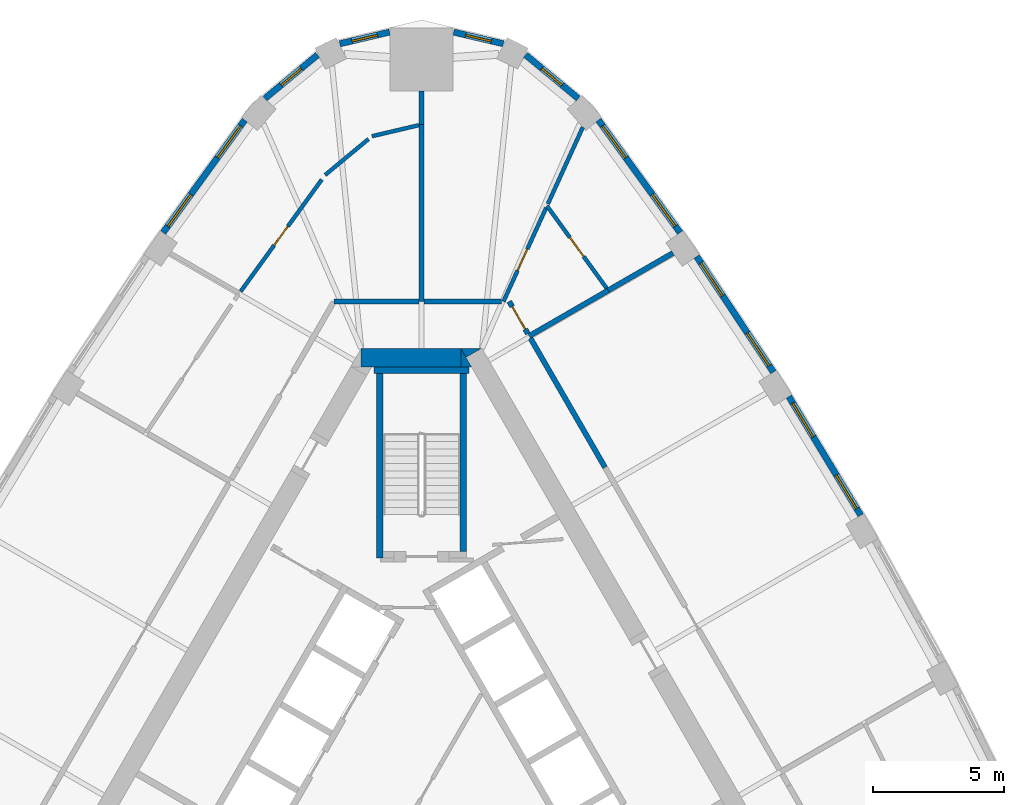
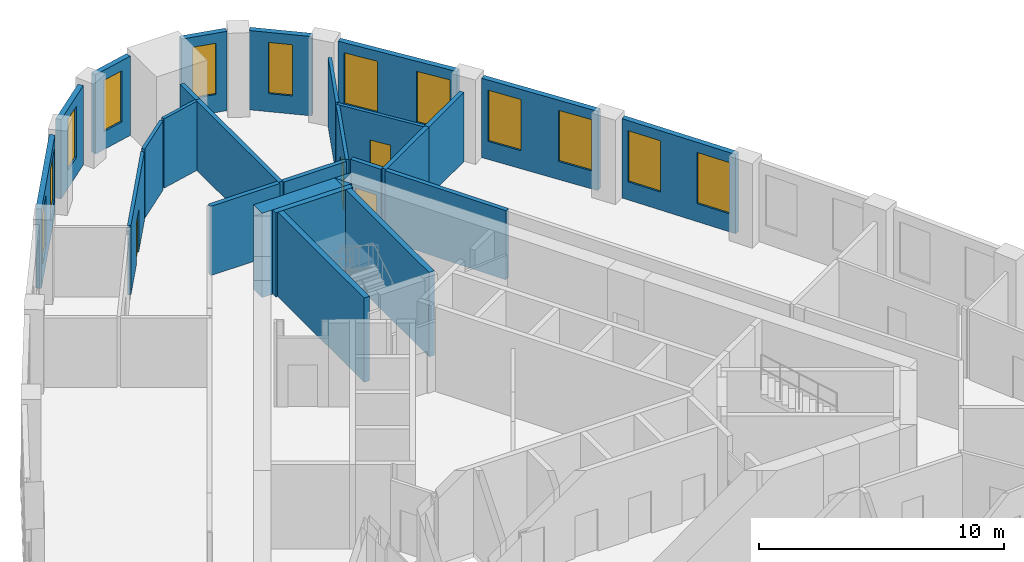
# One storey, part 8 of 10: 28 walls, 12 windows, 4 doors, 16 openings.
"""IFC4 building model written with IfcOpenShell, lengths in metres."""

from ifc_helpers import new_model, si_unit, direction, frame, frame_2d, origin, place, context, subcontext, project, spatial, polyline, rectangle, outline, extrude, material, layer, layer_set, type_object, element, fill, save


model = new_model("IFC4")

# Units and contexts
model_context = context("Model", 3, precision=1e-05, world=origin(), true_north=direction((0.0, 1.0)))
body_context = subcontext(model_context, "Body", "Model", "MODEL_VIEW")
ifc_project = project(units=[si_unit("LENGTHUNIT", "METRE"), si_unit("AREAUNIT", "SQUARE_METRE"), si_unit("VOLUMEUNIT", "CUBIC_METRE"), si_unit("PLANEANGLEUNIT", "RADIAN"), si_unit("MASSUNIT", "GRAM", prefix="KILO")], contexts=[model_context])

# Site, building, storey
site_placement = place(None, origin())
site = spatial("IfcSite", under=ifc_project, at=site_placement, CompositionType="ELEMENT")
building_placement = place(site_placement, origin())
building = spatial("IfcBuilding", under=site, at=building_placement, Name="Mestral Congress Tower", CompositionType="ELEMENT")
storey_placement = place(building_placement, frame((0.0, 0.0, 239.39990234375)))
storey = spatial("IfcBuildingStorey", under=building, at=storey_placement, Name="L56", CompositionType="ELEMENT", Elevation=239.39990234375)

# Walls
ifc_material_1 = material(Name="Concrete C60/75", Category="concrete")
ifc_layer_1 = layer(ifc_material_1, 0.699951171875)
ifc_layer_set_1 = layer_set([ifc_layer_1], Name="Concrete C60/75")
wall_type_1 = type_object("IfcWallType", Name="Core wall RC 700", PredefinedType="SOLIDWALL", material=ifc_layer_set_1)
placement = place(storey_placement, origin())
element("IfcWall", 1, at=placement, inside=storey, type_object=wall_type_1, Name="L56 core wall", PredefinedType="SOLIDWALL", context=body_context, shape_type="SweptSolid", body=[
    extrude(outline(polyline([(1.501220703125, 16.699951171875), (2.277099609375, 16.699951171875), (1.695068359375, 16.364013671875), (1.501220703125, 16.699951171875)])), origin(), (0.0, 0.0, 1.0), 4.2001953125),
])
wall_2_placement = place(storey_placement, frame((-2.323486328125, 16.35009765625, 0.0), z_axis=(0.0, 0.0, 1.0), x_axis=(1.0, 0.0, 0.0)))
element("IfcWall", 2, at=wall_2_placement, inside=storey, type_object=wall_type_1, Name="L56 core wall", PredefinedType="SOLIDWALL", context=body_context, shape_type="SweptSolid", body=[
    extrude(rectangle(XDim=3.828857421875, YDim=0.699951171875, at=frame_2d((1.91455078125, 0.0))), origin(), (0.0, 0.0, 1.0), 4.2001953125),
])
element("IfcWall", 3, at=placement, inside=storey, type_object=wall_type_1, Name="L56 core wall", PredefinedType="SOLIDWALL", context=body_context, shape_type="SweptSolid", body=[
    extrude(outline(polyline([(1.9052734375, 16.0), (1.50732421875, 16.0), (1.50732421875, 16.689208984375), (1.9052734375, 16.0)])), origin(), (0.0, 0.0, 1.0), 4.2001953125),
])

# Wall, openings, windows
ifc_material_2 = material(Name="Precast concrete C40/50 with limestone facing", Category="masonry")
ifc_layer_2 = layer(ifc_material_2, 0.239990234375)
ifc_layer_set_2 = layer_set([ifc_layer_2], Name="Precast concrete C40/50 with limestone facing")
wall_type_2 = type_object("IfcWallType", Name="Facade stone wall 240", PredefinedType="SOLIDWALL", material=ifc_layer_set_2)
wall_4_placement = place(storey_placement, frame((16.78173828125, 10.331298828125, 0.0), z_axis=(0.0, 0.0, 1.0), x_axis=(-0.517846166225, 0.855473756538, 0.0)))
wall_4 = element("IfcWall", 4, at=wall_4_placement, inside=storey, type_object=wall_type_2, Name="Facade wall F1-03", PredefinedType="SOLIDWALL", context=body_context, shape_type="SweptSolid", body=[
    extrude(rectangle(XDim=5.298095703125, YDim=0.239990234375, at=frame_2d((2.64892578125, 0.0))), origin(), (0.0, 0.0, 1.0), 3.9501953125),
])
opening_1_placement = place(wall_4_placement, frame((0.29443359375, 0.0, 0.89990234375)))
opening_1 = element("IfcOpeningElement", 5, at=opening_1_placement, cuts=wall_4, Name="Opening W4", PredefinedType="OPENING", context=body_context, shape_type="SweptSolid", body=[
    extrude(rectangle(XDim=1.5, YDim=2.550048828125, at=frame_2d((0.75, 1.27490234375))), frame((0.0, 0.1298828125, 0.0), z_axis=(0.0, -1.0, 0.0), x_axis=(1.0, 0.0, 0.0)), (0.0, 0.0, 1.0), 0.260009765625),
])
opening_2_placement = place(wall_4_placement, frame((3.503662109375, 0.0, 0.89990234375)))
opening_2 = element("IfcOpeningElement", 6, at=opening_2_placement, cuts=wall_4, Name="Opening W4", PredefinedType="OPENING", context=body_context, shape_type="SweptSolid", body=[
    extrude(rectangle(XDim=1.5, YDim=2.550048828125, at=frame_2d((0.75, 1.27490234375))), frame((0.0, 0.1298828125, 0.0), z_axis=(0.0, -1.0, 0.0), x_axis=(1.0, 0.0, 0.0)), (0.0, 0.0, 1.0), 0.260009765625),
])
ifc_material_3 = material(Name="Clear low-emissivity double glazing", Category="glass")
window_type_1 = type_object("IfcWindowType", Name="Facade punched window 1500 x 2550 sill 900", PartitioningType="SINGLE_PANEL", PredefinedType="WINDOW", material=ifc_material_3)
window_1_placement = place(opening_1_placement, origin())
window_1 = element("IfcWindow", 7, at=window_1_placement, inside=storey, type_object=window_type_1, Name="Window F1-03a", OverallHeight=2.550048828125, OverallWidth=1.5, PartitioningType="SINGLE_PANEL", PredefinedType="WINDOW", context=body_context, shape_type="SweptSolid", body=[
    extrude(rectangle(XDim=1.5, YDim=2.550048828125, at=frame_2d((0.75, 1.27490234375))), frame((0.0, 0.0400390625, 0.0), z_axis=(0.0, -1.0, 0.0), x_axis=(1.0, 0.0, 0.0)), (0.0, 0.0, 1.0), 0.06005859375),
])
fill(opening_1, window_1)
window_2_placement = place(opening_2_placement, origin())
window_2 = element("IfcWindow", 8, at=window_2_placement, inside=storey, type_object=window_type_1, Name="Window F1-03b", OverallHeight=2.550048828125, OverallWidth=1.5, PartitioningType="SINGLE_PANEL", PredefinedType="WINDOW", context=body_context, shape_type="SweptSolid", body=[
    extrude(rectangle(XDim=1.5, YDim=2.550048828125, at=frame_2d((0.75, 1.27490234375))), frame((0.0, 0.0400390625, 0.0), z_axis=(0.0, -1.0, 0.0), x_axis=(1.0, 0.0, 0.0)), (0.0, 0.0, 1.0), 0.06005859375),
])
fill(opening_2, window_2)

wall_5_placement = place(storey_placement, frame((13.442138671875, 15.803466796875, 0.0), z_axis=(0.0, 0.0, 1.0), x_axis=(-0.552901821755, 0.833246407433, 0.0)))
wall_5 = element("IfcWall", 9, at=wall_5_placement, inside=storey, type_object=wall_type_2, Name="Facade wall F1-04", PredefinedType="SOLIDWALL", context=body_context, shape_type="SweptSolid", body=[
    extrude(rectangle(XDim=5.29833984375, YDim=0.239990234375, at=frame_2d((2.649169921875, 0.0))), origin(), (0.0, 0.0, 1.0), 3.9501953125),
])
opening_3_placement = place(wall_5_placement, frame((0.294677734375, 0.0, 0.89990234375)))
opening_3 = element("IfcOpeningElement", 10, at=opening_3_placement, cuts=wall_5, Name="Opening W4", PredefinedType="OPENING", context=body_context, shape_type="SweptSolid", body=[
    extrude(rectangle(XDim=1.5, YDim=2.550048828125, at=frame_2d((0.75, 1.27490234375))), frame((0.0, 0.1298828125, 0.0), z_axis=(0.0, -1.0, 0.0), x_axis=(1.0, 0.0, 0.0)), (0.0, 0.0, 1.0), 0.260009765625),
])
opening_4_placement = place(wall_5_placement, frame((3.50390625, 0.0, 0.89990234375)))
opening_4 = element("IfcOpeningElement", 11, at=opening_4_placement, cuts=wall_5, Name="Opening W4", PredefinedType="OPENING", context=body_context, shape_type="SweptSolid", body=[
    extrude(rectangle(XDim=1.5, YDim=2.550048828125, at=frame_2d((0.75, 1.27490234375))), frame((0.0, 0.1298828125, 0.0), z_axis=(0.0, -1.0, 0.0), x_axis=(1.0, 0.0, 0.0)), (0.0, 0.0, 1.0), 0.260009765625),
])
window_3_placement = place(opening_3_placement, origin())
window_3 = element("IfcWindow", 12, at=window_3_placement, inside=storey, type_object=window_type_1, Name="Window F1-04a", OverallHeight=2.550048828125, OverallWidth=1.5, PartitioningType="SINGLE_PANEL", PredefinedType="WINDOW", context=body_context, shape_type="SweptSolid", body=[
    extrude(rectangle(XDim=1.5, YDim=2.550048828125, at=frame_2d((0.75, 1.27490234375))), frame((0.0, 0.0400390625, 0.0), z_axis=(0.0, -1.0, 0.0), x_axis=(1.0, 0.0, 0.0)), (0.0, 0.0, 1.0), 0.06005859375),
])
fill(opening_3, window_3)
window_4_placement = place(opening_4_placement, origin())
window_4 = element("IfcWindow", 13, at=window_4_placement, inside=storey, type_object=window_type_1, Name="Window F1-04b", OverallHeight=2.550048828125, OverallWidth=1.5, PartitioningType="SINGLE_PANEL", PredefinedType="WINDOW", context=body_context, shape_type="SweptSolid", body=[
    extrude(rectangle(XDim=1.5, YDim=2.550048828125, at=frame_2d((0.75, 1.27490234375))), frame((0.0, 0.0400390625, 0.0), z_axis=(0.0, -1.0, 0.0), x_axis=(1.0, 0.0, 0.0)), (0.0, 0.0, 1.0), 0.06005859375),
])
fill(opening_4, window_4)

wall_6_placement = place(storey_placement, frame((9.87841796875, 21.13232421875, 0.0), z_axis=(0.0, 0.0, 1.0), x_axis=(-0.586998456641, 0.80958805074, 0.0)))
wall_6 = element("IfcWall", 14, at=wall_6_placement, inside=storey, type_object=wall_type_2, Name="Facade wall F1-05", PredefinedType="SOLIDWALL", context=body_context, shape_type="SweptSolid", body=[
    extrude(rectangle(XDim=5.310791015625, YDim=0.239990234375, at=frame_2d((2.6552734375, 0.0))), origin(), (0.0, 0.0, 1.0), 3.9501953125),
])
opening_5_placement = place(wall_6_placement, frame((0.306396484375, 0.0, 0.89990234375)))
opening_5 = element("IfcOpeningElement", 15, at=opening_5_placement, cuts=wall_6, Name="Opening W4", PredefinedType="OPENING", context=body_context, shape_type="SweptSolid", body=[
    extrude(rectangle(XDim=1.5, YDim=2.550048828125, at=frame_2d((0.75, 1.27490234375))), frame((0.0, 0.1298828125, 0.0), z_axis=(0.0, -1.0, 0.0), x_axis=(1.0, 0.0, 0.0)), (0.0, 0.0, 1.0), 0.260009765625),
])
opening_6_placement = place(wall_6_placement, frame((3.539306640625, 0.0, 0.89990234375)))
opening_6 = element("IfcOpeningElement", 16, at=opening_6_placement, cuts=wall_6, Name="Opening W4", PredefinedType="OPENING", context=body_context, shape_type="SweptSolid", body=[
    extrude(rectangle(XDim=1.5, YDim=2.550048828125, at=frame_2d((0.75, 1.27490234375))), frame((0.0, 0.1298828125, 0.0), z_axis=(0.0, -1.0, 0.0), x_axis=(1.0, 0.0, 0.0)), (0.0, 0.0, 1.0), 0.260009765625),
])
window_5_placement = place(opening_5_placement, origin())
window_5 = element("IfcWindow", 17, at=window_5_placement, inside=storey, type_object=window_type_1, Name="Window F1-05a", OverallHeight=2.550048828125, OverallWidth=1.5, PartitioningType="SINGLE_PANEL", PredefinedType="WINDOW", context=body_context, shape_type="SweptSolid", body=[
    extrude(rectangle(XDim=1.5, YDim=2.550048828125, at=frame_2d((0.75, 1.27490234375))), frame((0.0, 0.0400390625, 0.0), z_axis=(0.0, -1.0, 0.0), x_axis=(1.0, 0.0, 0.0)), (0.0, 0.0, 1.0), 0.06005859375),
])
fill(opening_5, window_5)
window_6_placement = place(opening_6_placement, origin())
window_6 = element("IfcWindow", 18, at=window_6_placement, inside=storey, type_object=window_type_1, Name="Window F1-05b", OverallHeight=2.550048828125, OverallWidth=1.5, PartitioningType="SINGLE_PANEL", PredefinedType="WINDOW", context=body_context, shape_type="SweptSolid", body=[
    extrude(rectangle(XDim=1.5, YDim=2.550048828125, at=frame_2d((0.75, 1.27490234375))), frame((0.0, 0.0400390625, 0.0), z_axis=(0.0, -1.0, 0.0), x_axis=(1.0, 0.0, 0.0)), (0.0, 0.0, 1.0), 0.06005859375),
])
fill(opening_6, window_6)

# Wall, opening, window
wall_7_placement = place(storey_placement, frame((5.986572265625, 26.259033203125, 0.0), z_axis=(0.0, 0.0, 1.0), x_axis=(-0.769990037733, 0.638055908045, 0.0)))
wall_7 = element("IfcWall", 19, at=wall_7_placement, inside=storey, type_object=wall_type_2, Name="Facade wall K1-0", PredefinedType="SOLIDWALL", context=body_context, shape_type="SweptSolid", body=[
    extrude(rectangle(XDim=2.609130859375, YDim=0.239990234375, at=frame_2d((1.3046875, 0.0))), origin(), (0.0, 0.0, 1.0), 3.9501953125),
])
opening_7_placement = place(wall_7_placement, frame((0.8046875, 0.0, 0.89990234375)))
opening_7 = element("IfcOpeningElement", 20, at=opening_7_placement, cuts=wall_7, Name="Opening W5", PredefinedType="OPENING", context=body_context, shape_type="SweptSolid", body=[
    extrude(rectangle(XDim=1.0, YDim=2.550048828125, at=frame_2d((0.5, 1.27490234375))), frame((0.0, 0.1298828125, 0.0), z_axis=(0.0, -1.0, 0.0), x_axis=(1.0, 0.0, 0.0)), (0.0, 0.0, 1.0), 0.260009765625),
])
window_type_2 = type_object("IfcWindowType", Name="Facade punched window 1000 x 2550 sill 900", PartitioningType="SINGLE_PANEL", PredefinedType="WINDOW", material=ifc_material_3)
window_7_placement = place(opening_7_placement, origin())
window_7 = element("IfcWindow", 21, at=window_7_placement, inside=storey, type_object=window_type_2, Name="Window K1-0", OverallHeight=2.550048828125, OverallWidth=1.0, PartitioningType="SINGLE_PANEL", PredefinedType="WINDOW", context=body_context, shape_type="SweptSolid", body=[
    extrude(rectangle(XDim=1.0, YDim=2.550048828125, at=frame_2d((0.5, 1.27490234375))), frame((0.0, 0.0400390625, 0.0), z_axis=(0.0, -1.0, 0.0), x_axis=(1.0, 0.0, 0.0)), (0.0, 0.0, 1.0), 0.06005859375),
])
fill(opening_7, window_7)

wall_8_placement = place(storey_placement, frame((3.123046875, 28.3486328125, 0.0), z_axis=(0.0, 0.0, 1.0), x_axis=(-0.973515706272, 0.228620142686, 0.0)))
wall_8 = element("IfcWall", 22, at=wall_8_placement, inside=storey, type_object=wall_type_2, Name="Facade wall K1-1", PredefinedType="SOLIDWALL", context=body_context, shape_type="SweptSolid", body=[
    extrude(rectangle(XDim=1.94775390625, YDim=0.239990234375, at=frame_2d((0.973876953125, 0.0))), origin(), (0.0, 0.0, 1.0), 3.9501953125),
])
opening_8_placement = place(wall_8_placement, frame((0.47412109375, 0.0, 0.89990234375)))
opening_8 = element("IfcOpeningElement", 23, at=opening_8_placement, cuts=wall_8, Name="Opening W5", PredefinedType="OPENING", context=body_context, shape_type="SweptSolid", body=[
    extrude(rectangle(XDim=1.0, YDim=2.550048828125, at=frame_2d((0.5, 1.27490234375))), frame((0.0, 0.1298828125, 0.0), z_axis=(0.0, -1.0, 0.0), x_axis=(1.0, 0.0, 0.0)), (0.0, 0.0, 1.0), 0.260009765625),
])
window_8_placement = place(opening_8_placement, origin())
window_8 = element("IfcWindow", 24, at=window_8_placement, inside=storey, type_object=window_type_2, Name="Window K1-1", OverallHeight=2.550048828125, OverallWidth=1.0, PartitioningType="SINGLE_PANEL", PredefinedType="WINDOW", context=body_context, shape_type="SweptSolid", body=[
    extrude(rectangle(XDim=1.0, YDim=2.550048828125, at=frame_2d((0.5, 1.27490234375))), frame((0.0, 0.0400390625, 0.0), z_axis=(0.0, -1.0, 0.0), x_axis=(1.0, 0.0, 0.0)), (0.0, 0.0, 1.0), 0.06005859375),
])
fill(opening_8, window_8)

wall_9_placement = place(storey_placement, frame((-1.226806640625, 28.7939453125, 0.0), z_axis=(0.0, 0.0, 1.0), x_axis=(-0.973515706272, -0.228620142686, 0.0)))
wall_9 = element("IfcWall", 25, at=wall_9_placement, inside=storey, type_object=wall_type_2, Name="Facade wall K1-2", PredefinedType="SOLIDWALL", context=body_context, shape_type="SweptSolid", body=[
    extrude(rectangle(XDim=1.94775390625, YDim=0.239990234375, at=frame_2d((0.973876953125, 0.0))), origin(), (0.0, 0.0, 1.0), 3.9501953125),
])
opening_9_placement = place(wall_9_placement, frame((0.47412109375, 0.0, 0.89990234375)))
opening_9 = element("IfcOpeningElement", 26, at=opening_9_placement, cuts=wall_9, Name="Opening W5", PredefinedType="OPENING", context=body_context, shape_type="SweptSolid", body=[
    extrude(rectangle(XDim=1.0, YDim=2.550048828125, at=frame_2d((0.5, 1.27490234375))), frame((0.0, 0.1298828125, 0.0), z_axis=(0.0, -1.0, 0.0), x_axis=(1.0, 0.0, 0.0)), (0.0, 0.0, 1.0), 0.260009765625),
])
window_9_placement = place(opening_9_placement, origin())
window_9 = element("IfcWindow", 27, at=window_9_placement, inside=storey, type_object=window_type_2, Name="Window K1-2", OverallHeight=2.550048828125, OverallWidth=1.0, PartitioningType="SINGLE_PANEL", PredefinedType="WINDOW", context=body_context, shape_type="SweptSolid", body=[
    extrude(rectangle(XDim=1.0, YDim=2.550048828125, at=frame_2d((0.5, 1.27490234375))), frame((0.0, 0.0400390625, 0.0), z_axis=(0.0, -1.0, 0.0), x_axis=(1.0, 0.0, 0.0)), (0.0, 0.0, 1.0), 0.06005859375),
])
fill(opening_9, window_9)

wall_10_placement = place(storey_placement, frame((-3.9775390625, 27.923828125, 0.0), z_axis=(0.0, 0.0, 1.0), x_axis=(-0.769990037733, -0.638055908045, 0.0)))
wall_10 = element("IfcWall", 28, at=wall_10_placement, inside=storey, type_object=wall_type_2, Name="Facade wall K1-3", PredefinedType="SOLIDWALL", context=body_context, shape_type="SweptSolid", body=[
    extrude(rectangle(XDim=2.609130859375, YDim=0.239990234375, at=frame_2d((1.3046875, 0.0))), origin(), (0.0, 0.0, 1.0), 3.9501953125),
])
opening_10_placement = place(wall_10_placement, frame((0.8046875, 0.0, 0.89990234375)))
opening_10 = element("IfcOpeningElement", 29, at=opening_10_placement, cuts=wall_10, Name="Opening W5", PredefinedType="OPENING", context=body_context, shape_type="SweptSolid", body=[
    extrude(rectangle(XDim=1.0, YDim=2.550048828125, at=frame_2d((0.5, 1.27490234375))), frame((0.0, 0.1298828125, 0.0), z_axis=(0.0, -1.0, 0.0), x_axis=(1.0, 0.0, 0.0)), (0.0, 0.0, 1.0), 0.260009765625),
])
window_10_placement = place(opening_10_placement, origin())
window_10 = element("IfcWindow", 30, at=window_10_placement, inside=storey, type_object=window_type_2, Name="Window K1-3", OverallHeight=2.550048828125, OverallWidth=1.0, PartitioningType="SINGLE_PANEL", PredefinedType="WINDOW", context=body_context, shape_type="SweptSolid", body=[
    extrude(rectangle(XDim=1.0, YDim=2.550048828125, at=frame_2d((0.5, 1.27490234375))), frame((0.0, 0.0400390625, 0.0), z_axis=(0.0, -1.0, 0.0), x_axis=(1.0, 0.0, 0.0)), (0.0, 0.0, 1.0), 0.06005859375),
])
fill(opening_10, window_10)

# Wall, openings, windows
wall_11_placement = place(storey_placement, frame((-6.760986328125, 25.431884765625, 0.0), z_axis=(0.0, 0.0, 1.0), x_axis=(-0.586998456641, -0.80958805074, 0.0)))
wall_11 = element("IfcWall", 31, at=wall_11_placement, inside=storey, type_object=wall_type_2, Name="Facade wall F2-00", PredefinedType="SOLIDWALL", context=body_context, shape_type="SweptSolid", body=[
    extrude(rectangle(XDim=5.310791015625, YDim=0.239990234375, at=frame_2d((2.6552734375, 0.0))), origin(), (0.0, 0.0, 1.0), 3.9501953125),
])
opening_11_placement = place(wall_11_placement, frame((0.271484375, 0.0, 0.89990234375)))
opening_11 = element("IfcOpeningElement", 32, at=opening_11_placement, cuts=wall_11, Name="Opening W4", PredefinedType="OPENING", context=body_context, shape_type="SweptSolid", body=[
    extrude(rectangle(XDim=1.5, YDim=2.550048828125, at=frame_2d((0.75, 1.27490234375))), frame((0.0, 0.1298828125, 0.0), z_axis=(0.0, -1.0, 0.0), x_axis=(1.0, 0.0, 0.0)), (0.0, 0.0, 1.0), 0.260009765625),
])
opening_12_placement = place(wall_11_placement, frame((3.50439453125, 0.0, 0.89990234375)))
opening_12 = element("IfcOpeningElement", 33, at=opening_12_placement, cuts=wall_11, Name="Opening W4", PredefinedType="OPENING", context=body_context, shape_type="SweptSolid", body=[
    extrude(rectangle(XDim=1.5, YDim=2.550048828125, at=frame_2d((0.75, 1.27490234375))), frame((0.0, 0.1298828125, 0.0), z_axis=(0.0, -1.0, 0.0), x_axis=(1.0, 0.0, 0.0)), (0.0, 0.0, 1.0), 0.260009765625),
])
window_11_placement = place(opening_11_placement, origin())
window_11 = element("IfcWindow", 34, at=window_11_placement, inside=storey, type_object=window_type_1, Name="Window F2-00a", OverallHeight=2.550048828125, OverallWidth=1.5, PartitioningType="SINGLE_PANEL", PredefinedType="WINDOW", context=body_context, shape_type="SweptSolid", body=[
    extrude(rectangle(XDim=1.5, YDim=2.550048828125, at=frame_2d((0.75, 1.27490234375))), frame((0.0, 0.0400390625, 0.0), z_axis=(0.0, -1.0, 0.0), x_axis=(1.0, 0.0, 0.0)), (0.0, 0.0, 1.0), 0.06005859375),
])
fill(opening_11, window_11)
window_12_placement = place(opening_12_placement, origin())
window_12 = element("IfcWindow", 35, at=window_12_placement, inside=storey, type_object=window_type_1, Name="Window F2-00b", OverallHeight=2.550048828125, OverallWidth=1.5, PartitioningType="SINGLE_PANEL", PredefinedType="WINDOW", context=body_context, shape_type="SweptSolid", body=[
    extrude(rectangle(XDim=1.5, YDim=2.550048828125, at=frame_2d((0.75, 1.27490234375))), frame((0.0, 0.0400390625, 0.0), z_axis=(0.0, -1.0, 0.0), x_axis=(1.0, 0.0, 0.0)), (0.0, 0.0, 1.0), 0.06005859375),
])
fill(opening_12, window_12)

# Wall, opening, door
ifc_material_4 = material(Name="Plasterboard partition on steel studs", Category="steel")
ifc_layer_3 = layer(ifc_material_4, 0.14990234375)
ifc_layer_set_3 = layer_set([ifc_layer_3], Name="Plasterboard partition on steel studs")
wall_type_3 = type_object("IfcWallType", Name="Office partition 150", PredefinedType="PARTITIONING", material=ifc_layer_set_3)
wall_12_placement = place(storey_placement, frame((4.791259765625, 22.15185546875, 0.0), z_axis=(0.0, 0.0, 1.0), x_axis=(0.586987127968, -0.809596264567, 0.0)))
wall_12 = element("IfcWall", 36, at=wall_12_placement, inside=storey, type_object=wall_type_3, Name="Partition", PredefinedType="PARTITIONING", context=body_context, shape_type="SweptSolid", body=[
    extrude(rectangle(XDim=3.88671875, YDim=0.14990234375, at=frame_2d((1.943359375, 0.0))), origin(), (0.0, 0.0, 1.0), 3.4501953125),
])
opening_13_placement = place(wall_12_placement, frame((1.486572265625, 0.0, 0.0)))
opening_13 = element("IfcOpeningElement", 37, at=opening_13_placement, cuts=wall_12, Name="Opening O09-009", PredefinedType="OPENING", context=body_context, shape_type="SweptSolid", body=[
    extrude(rectangle(XDim=0.89990234375, YDim=2.10009765625, at=frame_2d((0.449951171875, 1.050048828125))), frame((0.0, 0.0849609375, 0.0), z_axis=(0.0, -1.0, 0.0), x_axis=(1.0, 0.0, 0.0)), (0.0, 0.0, 1.0), 0.169921875),
])
ifc_material_5 = material(Name="Timber door set", Category="wood")
door_type_1 = type_object("IfcDoorType", Name="Office door 900x2100", OperationType="SINGLE_SWING_LEFT", PredefinedType="DOOR", material=ifc_material_5)
door_1_placement = place(opening_13_placement, origin())
door_1 = element("IfcDoor", 38, at=door_1_placement, inside=storey, type_object=door_type_1, Name="Door O09-009", OperationType="SINGLE_SWING_LEFT", OverallHeight=2.10009765625, OverallWidth=0.89990234375, PredefinedType="DOOR", context=body_context, shape_type="SweptSolid", body=[
    extrude(rectangle(XDim=0.89990234375, YDim=2.10009765625, at=frame_2d((0.449951171875, 1.050048828125))), frame((0.0, 0.02490234375, 0.0), z_axis=(0.0, -1.0, 0.0), x_axis=(1.0, 0.0, 0.0)), (0.0, 0.0, 1.0), 0.050048828125),
])
fill(opening_13, door_1)

# Wall
wall_13_placement = place(storey_placement, frame((4.826904296875, 22.230224609375, 0.0), z_axis=(0.0, 0.0, 1.0), x_axis=(0.414339921123, 0.91012220595, 0.0)))
element("IfcWall", 39, at=wall_13_placement, inside=storey, type_object=wall_type_3, Name="Partition", PredefinedType="PARTITIONING", context=body_context, shape_type="SweptSolid", body=[
    extrude(rectangle(XDim=3.219482421875, YDim=0.14990234375, at=frame_2d((1.60986328125, 0.0))), origin(), (0.0, 0.0, 1.0), 3.4501953125),
])

# Wall, opening, door
wall_14_placement = place(storey_placement, frame((3.12890625, 18.5, 0.0), z_axis=(0.0, 0.0, 1.0), x_axis=(0.414332290546, 0.910125679789, 0.0)))
wall_14 = element("IfcWall", 40, at=wall_14_placement, inside=storey, type_object=wall_type_3, Name="Partition", PredefinedType="PARTITIONING", context=body_context, shape_type="SweptSolid", body=[
    extrude(rectangle(XDim=3.926025390625, YDim=0.14990234375, at=frame_2d((1.962890625, 0.0))), origin(), (0.0, 0.0, 1.0), 3.4501953125),
])
opening_14_placement = place(wall_14_placement, frame((1.300048828125, 0.0, 0.0)))
opening_14 = element("IfcOpeningElement", 41, at=opening_14_placement, cuts=wall_14, Name="Opening O09-011", PredefinedType="OPENING", context=body_context, shape_type="SweptSolid", body=[
    extrude(rectangle(XDim=0.89990234375, YDim=2.10009765625, at=frame_2d((0.449951171875, 1.050048828125))), frame((0.0, 0.0849609375, 0.0), z_axis=(0.0, -1.0, 0.0), x_axis=(1.0, 0.0, 0.0)), (0.0, 0.0, 1.0), 0.169921875),
])
door_2_placement = place(opening_14_placement, origin())
door_2 = element("IfcDoor", 42, at=door_2_placement, inside=storey, type_object=door_type_1, Name="Door O09-011", OperationType="SINGLE_SWING_LEFT", OverallHeight=2.10009765625, OverallWidth=0.89990234375, PredefinedType="DOOR", context=body_context, shape_type="SweptSolid", body=[
    extrude(rectangle(XDim=0.89990234375, YDim=2.10009765625, at=frame_2d((0.449951171875, 1.050048828125))), frame((0.0, 0.02490234375, 0.0), z_axis=(0.0, -1.0, 0.0), x_axis=(1.0, 0.0, 0.0)), (0.0, 0.0, 1.0), 0.050048828125),
])
fill(opening_14, door_2)

# Walls
wall_15_placement = place(storey_placement, frame((-0.10009765625, 25.2373046875, 0.0), z_axis=(0.0, 0.0, 1.0), x_axis=(-0.973501996937, -0.22867851224, 0.0)))
element("IfcWall", 43, at=wall_15_placement, inside=storey, type_object=wall_type_3, Name="Partition", PredefinedType="PARTITIONING", context=body_context, shape_type="SweptSolid", body=[
    extrude(rectangle(XDim=1.84814453125, YDim=0.14990234375, at=frame_2d((0.924072265625, 0.0))), origin(), (0.0, 0.0, 1.0), 3.4501953125),
])
wall_16_placement = place(storey_placement, frame((-2.02880859375, 24.707275390625, 0.0), z_axis=(0.0, 0.0, 1.0), x_axis=(-0.769991356208, -0.63805431694, 0.0)))
element("IfcWall", 44, at=wall_16_placement, inside=storey, type_object=wall_type_3, Name="Partition", PredefinedType="PARTITIONING", context=body_context, shape_type="SweptSolid", body=[
    extrude(rectangle(XDim=2.15576171875, YDim=0.14990234375, at=frame_2d((1.077880859375, 0.0))), origin(), (0.0, 0.0, 1.0), 3.4501953125),
])

# Wall, opening, door
wall_17_placement = place(storey_placement, frame((-6.913330078125, 18.884521484375, 0.0), z_axis=(0.0, 0.0, 1.0), x_axis=(0.587002430779, 0.809585169244, 0.0)))
wall_17 = element("IfcWall", 45, at=wall_17_placement, inside=storey, type_object=wall_type_3, Name="Partition", PredefinedType="PARTITIONING", context=body_context, shape_type="SweptSolid", body=[
    extrude(rectangle(XDim=5.279052734375, YDim=0.14990234375, at=frame_2d((2.6396484375, 0.0))), origin(), (0.0, 0.0, 1.0), 3.4501953125),
])
opening_15_placement = place(wall_17_placement, frame((2.179443359375, 0.0, 0.0)))
opening_15 = element("IfcOpeningElement", 46, at=opening_15_placement, cuts=wall_17, Name="Opening O09-012", PredefinedType="OPENING", context=body_context, shape_type="SweptSolid", body=[
    extrude(rectangle(XDim=0.89990234375, YDim=2.10009765625, at=frame_2d((0.449951171875, 1.050048828125))), frame((0.0, 0.0849609375, 0.0), z_axis=(0.0, -1.0, 0.0), x_axis=(1.0, 0.0, 0.0)), (0.0, 0.0, 1.0), 0.169921875),
])
door_3_placement = place(opening_15_placement, origin())
door_3 = element("IfcDoor", 47, at=door_3_placement, inside=storey, type_object=door_type_1, Name="Door O09-012", OperationType="SINGLE_SWING_LEFT", OverallHeight=2.10009765625, OverallWidth=0.89990234375, PredefinedType="DOOR", context=body_context, shape_type="SweptSolid", body=[
    extrude(rectangle(XDim=0.89990234375, YDim=2.10009765625, at=frame_2d((0.449951171875, 1.050048828125))), frame((0.0, 0.02490234375, 0.0), z_axis=(0.0, -1.0, 0.0), x_axis=(1.0, 0.0, 0.0)), (0.0, 0.0, 1.0), 0.050048828125),
])
fill(opening_15, door_3)

# Walls
ifc_material_6 = material(Name="Dense masonry wall, plastered", Category="masonry")
ifc_layer_4 = layer(ifc_material_6, 0.199951171875)
ifc_layer_set_4 = layer_set([ifc_layer_4], Name="Dense masonry wall, plastered")
wall_type_4 = type_object("IfcWallType", Name="Office tenancy wall 200", PredefinedType="PARTITIONING", material=ifc_layer_set_4)
wall_18_placement = place(storey_placement, frame((7.12841796875, 18.921875, 0.0), z_axis=(0.0, 0.0, 1.0), x_axis=(0.866023575777, 0.500003166188, 0.0)))
element("IfcWall", 48, at=wall_18_placement, inside=storey, type_object=wall_type_4, Name="Tenancy wall", PredefinedType="PARTITIONING", context=body_context, shape_type="SweptSolid", body=[
    extrude(rectangle(XDim=2.86083984375, YDim=0.199951171875, at=frame_2d((1.430419921875, 0.0))), origin(), (0.0, 0.0, 1.0), 3.4501953125),
])
wall_19_placement = place(storey_placement, frame((4.11083984375, 17.1796875, 0.0), z_axis=(0.0, 0.0, 1.0), x_axis=(0.866031916153, 0.499988720078, 0.0)))
element("IfcWall", 49, at=wall_19_placement, inside=storey, type_object=wall_type_4, Name="Tenancy wall", PredefinedType="PARTITIONING", context=body_context, shape_type="SweptSolid", body=[
    extrude(rectangle(XDim=3.4921875, YDim=0.199951171875, at=frame_2d((1.74609375, 0.0))), origin(), (0.0, 0.0, 1.0), 3.4501953125),
])
wall_20_placement = place(storey_placement, frame((7.007080078125, 12.1630859375, 0.0), z_axis=(0.0, 0.0, 1.0), x_axis=(-0.499986040413, 0.866033463206, 0.0)))
element("IfcWall", 50, at=wall_20_placement, inside=storey, type_object=wall_type_4, Name="Tenancy wall", PredefinedType="PARTITIONING", context=body_context, shape_type="SweptSolid", body=[
    extrude(rectangle(XDim=5.692626953125, YDim=0.199951171875, at=frame_2d((2.84619140625, 0.0))), origin(), (0.0, 0.0, 1.0), 3.4501953125),
])

# Wall, opening, door
wall_21_placement = place(storey_placement, frame((4.060791015625, 17.266357421875, 0.0), z_axis=(0.0, 0.0, 1.0), x_axis=(-0.49995489152, 0.866051445611, 0.0)))
wall_21 = element("IfcWall", 51, at=wall_21_placement, inside=storey, type_object=wall_type_4, Name="Tenancy wall", PredefinedType="PARTITIONING", context=body_context, shape_type="SweptSolid", body=[
    extrude(rectangle(XDim=1.424560546875, YDim=0.199951171875, at=frame_2d((0.71240234375, 0.0))), origin(), (0.0, 0.0, 1.0), 3.4501953125),
])
opening_16_placement = place(wall_21_placement, frame((0.199951171875, 0.0, 0.0)))
opening_16 = element("IfcOpeningElement", 52, at=opening_16_placement, cuts=wall_21, Name="Opening O09-010", PredefinedType="OPENING", context=body_context, shape_type="SweptSolid", body=[
    extrude(rectangle(XDim=1.0, YDim=2.10009765625, at=frame_2d((0.5, 1.050048828125))), frame((0.0, 0.10986328125, 0.0), z_axis=(0.0, -1.0, 0.0), x_axis=(1.0, 0.0, 0.0)), (0.0, 0.0, 1.0), 0.219970703125),
])
ifc_material_7 = material(Name="Fire-rated timber door set", Category="wood")
door_type_2 = type_object("IfcDoorType", Name="Office tenancy entrance door 1000x2100", OperationType="SINGLE_SWING_LEFT", PredefinedType="DOOR", material=ifc_material_7)
door_4_placement = place(opening_16_placement, origin())
door_4 = element("IfcDoor", 53, at=door_4_placement, inside=storey, type_object=door_type_2, Name="Door O09-010", OperationType="SINGLE_SWING_LEFT", OverallHeight=2.10009765625, OverallWidth=1.0, PredefinedType="DOOR", context=body_context, shape_type="SweptSolid", body=[
    extrude(rectangle(XDim=1.0, YDim=2.10009765625, at=frame_2d((0.5, 1.050048828125))), frame((0.0, 0.02490234375, 0.0), z_axis=(0.0, -1.0, 0.0), x_axis=(1.0, 0.0, 0.0)), (0.0, 0.0, 1.0), 0.050048828125),
])
fill(opening_16, door_4)

# Walls
wall_22_placement = place(storey_placement, frame((0.0, 25.256591796875, 0.0), z_axis=(0.0, 0.0, 1.0), x_axis=(0.0, 1.0, 0.0)))
element("IfcWall", 54, at=wall_22_placement, inside=storey, type_object=wall_type_4, Name="Tenancy wall", PredefinedType="PARTITIONING", context=body_context, shape_type="SweptSolid", body=[
    extrude(rectangle(XDim=1.287841796875, YDim=0.199951171875, at=frame_2d((0.64404296875, 0.0))), origin(), (0.0, 0.0, 1.0), 3.4501953125),
])
wall_23_placement = place(storey_placement, frame((0.0, 18.5, 0.0), z_axis=(0.0, 0.0, 1.0), x_axis=(0.0, 1.0, 0.0)))
element("IfcWall", 55, at=wall_23_placement, inside=storey, type_object=wall_type_4, Name="Tenancy wall", PredefinedType="PARTITIONING", context=body_context, shape_type="SweptSolid", body=[
    extrude(rectangle(XDim=6.764892578125, YDim=0.199951171875, at=frame_2d((3.38232421875, 0.0))), origin(), (0.0, 0.0, 1.0), 3.4501953125),
])
wall_24_placement = place(storey_placement, frame((3.04638671875, 18.5, 0.0), z_axis=(0.0, 0.0, 1.0), x_axis=(-1.0, 0.0, 0.0)))
element("IfcWall", 56, at=wall_24_placement, inside=storey, type_object=wall_type_4, Name="Tenancy wall", PredefinedType="PARTITIONING", context=body_context, shape_type="SweptSolid", body=[
    extrude(rectangle(XDim=2.9462890625, YDim=0.199951171875, at=frame_2d((1.47314453125, 0.0))), origin(), (0.0, 0.0, 1.0), 3.4501953125),
])
wall_25_placement = place(storey_placement, frame((-0.10009765625, 18.5, 0.0), z_axis=(0.0, 0.0, 1.0), x_axis=(-1.0, 0.0, 0.0)))
element("IfcWall", 57, at=wall_25_placement, inside=storey, type_object=wall_type_4, Name="Tenancy wall", PredefinedType="PARTITIONING", context=body_context, shape_type="SweptSolid", body=[
    extrude(rectangle(XDim=3.24853515625, YDim=0.199951171875, at=frame_2d((1.624267578125, 0.0))), origin(), (0.0, 0.0, 1.0), 3.4501953125),
])
ifc_layer_5 = layer(ifc_material_1, 0.25)
ifc_layer_set_5 = layer_set([ifc_layer_5], Name="Concrete C60/75")
wall_type_5 = type_object("IfcWallType", Name="Stair wall RC 250", PredefinedType="SOLIDWALL", material=ifc_layer_set_5)
wall_26_placement = place(storey_placement, frame((-1.81689453125, 15.875, 0.0), z_axis=(0.0, 0.0, 1.0), x_axis=(1.0, 0.0, 0.0)))
element("IfcWall", 58, at=wall_26_placement, inside=storey, type_object=wall_type_5, Name="L56 core wall", PredefinedType="SOLIDWALL", context=body_context, shape_type="SweptSolid", body=[
    extrude(rectangle(XDim=3.6337890625, YDim=0.25, at=frame_2d((1.81689453125, 0.0))), origin(), (0.0, 0.0, 1.0), 4.2001953125),
])
wall_27_placement = place(storey_placement, frame((1.60009765625, 8.949951171875, 0.0), z_axis=(0.0, 0.0, 1.0), x_axis=(0.0, 1.0, 0.0)))
element("IfcWall", 59, at=wall_27_placement, inside=storey, type_object=wall_type_5, Name="L56 core wall", PredefinedType="SOLIDWALL", context=body_context, shape_type="SweptSolid", body=[
    extrude(rectangle(XDim=6.800048828125, YDim=0.25, at=frame_2d((3.39990234375, 0.0))), origin(), (0.0, 0.0, 1.0), 4.2001953125),
])
wall_28_placement = place(storey_placement, frame((-1.60009765625, 8.699951171875, 0.0), z_axis=(0.0, 0.0, 1.0), x_axis=(0.0, 1.0, 0.0)))
element("IfcWall", 60, at=wall_28_placement, inside=storey, type_object=wall_type_5, Name="L56 core wall", PredefinedType="SOLIDWALL", context=body_context, shape_type="SweptSolid", body=[
    extrude(rectangle(XDim=7.050048828125, YDim=0.25, at=frame_2d((3.52490234375, 0.0))), origin(), (0.0, 0.0, 1.0), 4.2001953125),
])

save(model, "model.ifc")
